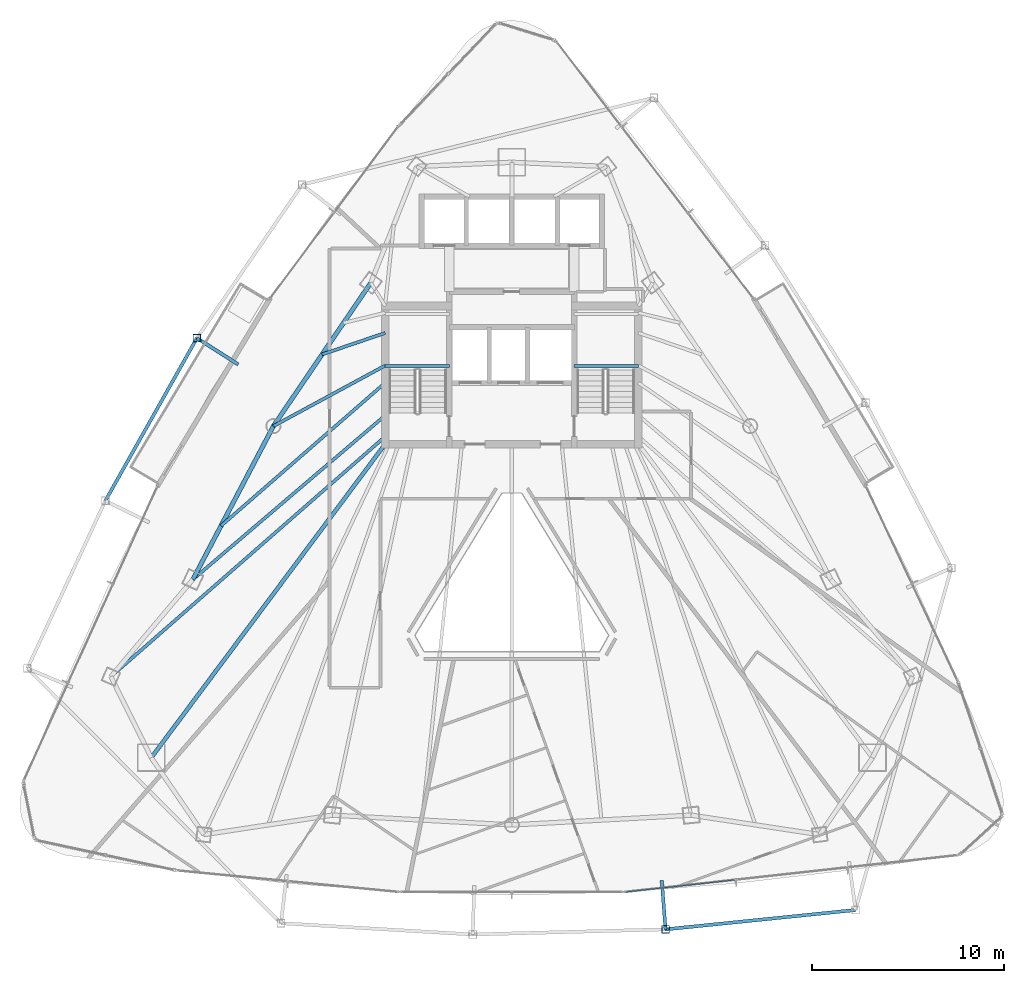
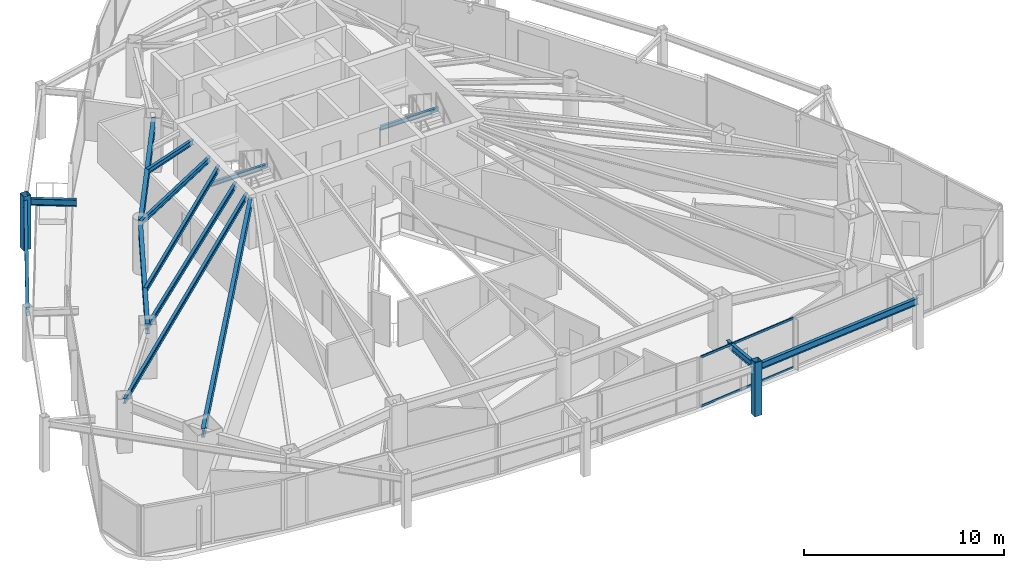
# One storey, part 11 of 30: 14 beams, 4 members, 1 element without a shape of its own.
"""IFC4 building model written with IfcOpenShell, lengths in metres."""

from ifc_helpers import new_model, si_unit, direction, frame, origin, origin_2d, place, context, subcontext, project, spatial, hollow_rectangle, i_section, extrude, material, layer, layer_set, material_profile, profile_set, type_object, element, aggregate, save


model = new_model("IFC4")

# Units and contexts
model_context = context("Model", 3, precision=1e-05, world=origin(), true_north=direction((0.0, 1.0)))
body_context = subcontext(model_context, "Body", "Model", "MODEL_VIEW")
ifc_project = project(units=[si_unit("LENGTHUNIT", "METRE"), si_unit("AREAUNIT", "SQUARE_METRE"), si_unit("VOLUMEUNIT", "CUBIC_METRE"), si_unit("PLANEANGLEUNIT", "RADIAN"), si_unit("MASSUNIT", "GRAM", prefix="KILO")], contexts=[model_context])

# Site, building, storey
site_placement = place(None, origin())
site = spatial("IfcSite", under=ifc_project, at=site_placement, CompositionType="ELEMENT")
building_placement = place(site_placement, origin())
building = spatial("IfcBuilding", under=site, at=building_placement, Name="Orvanel Arch Residences", CompositionType="ELEMENT")
storey_placement = place(building_placement, frame((0.0, 0.0, 136.39990234375)))
storey = spatial("IfcBuildingStorey", under=building, at=storey_placement, Name="L38", CompositionType="ELEMENT", Elevation=136.39990234375)

# Beams
ifc_material_1 = material(Name="Structural steel AS/NZS 3679.1 Grade 300 (300 MPa)", Category="steel")
ifc_material_profile_1 = material_profile(ifc_material_1, i_section(OverallWidth=0.208984375, OverallDepth=0.532958984375, WebThickness=0.01025390625, FlangeThickness=0.015625, at=origin_2d()), Name="530UB92.4")
ifc_profile_set_1 = profile_set([ifc_material_profile_1], Name="Structural steel AS/NZS 3679.1 Grade 300 (300 MPa)")
beam_type_1 = type_object("IfcBeamType", Name="BG-530UB", PredefinedType="BEAM", material=ifc_profile_set_1)
beam_1_placement = place(storey_placement, frame((26.375, 26.675048828125, 2.794189453125), z_axis=(-0.597893733742, -0.801575375839, 0.0), x_axis=(0.801575375839, -0.597893733742, 0.0)))
element("IfcBeam", 1, at=beam_1_placement, inside=storey, type_object=beam_type_1, Name="L38 South-West Radial Girder", PredefinedType="BEAM", context=body_context, shape_type="SweptSolid", body=[
    extrude(i_section(OverallWidth=0.208984375, OverallDepth=0.532958984375, WebThickness=0.01025390625, FlangeThickness=0.015625, at=origin_2d()), origin(), (0.0, 0.0, 1.0), 20.36474609375),
])
ifc_material_profile_2 = material_profile(ifc_material_1, i_section(OverallWidth=0.14599609375, OverallDepth=0.251953125, WebThickness=0.006103515625, FlangeThickness=0.008544921875, at=origin_2d()), Name="250UB31.4")
ifc_profile_set_2 = profile_set([ifc_material_profile_2], Name="Structural steel AS/NZS 3679.1 Grade 300 (300 MPa)")
beam_type_2 = type_object("IfcBeamType", Name="BJ-250UB", PredefinedType="JOIST", material=ifc_profile_set_2)
for number, where, z_axis, x_axis, name in (
    (2, (26.39990234375, 30.780029296875, 1.32421875), (1.0, 0.0, 0.0), (0.0, 1.0, 0.0), "L38 ST-1 Half-Landing Support Beam 1.1"),
    (3, (36.25, 30.780029296875, 1.32421875), (1.0, 0.0, 0.0), (0.0, 1.0, 0.0), "L38 ST-2 Half-Landing Support Beam 1.1"),
):
    element("IfcBeam", number, at=place(storey_placement, frame(where, z_axis=z_axis, x_axis=x_axis)), inside=storey, type_object=beam_type_2, Name=name, PredefinedType="JOIST", context=body_context, shape_type="SweptSolid", body=[
        extrude(i_section(OverallWidth=0.14599609375, OverallDepth=0.251953125, WebThickness=0.006103515625, FlangeThickness=0.008544921875, at=origin_2d()), origin(), (0.0, 0.0, 1.0), 3.35009765625),
    ])
ifc_material_profile_3 = material_profile(ifc_material_1, i_section(OverallWidth=0.1650390625, OverallDepth=0.303955078125, WebThickness=0.006103515625, FlangeThickness=0.01025390625, at=origin_2d()), Name="310UB40.4")
ifc_profile_set_3 = profile_set([ifc_material_profile_3], Name="Structural steel AS/NZS 3679.1 Grade 300 (300 MPa)")
beam_type_3 = type_object("IfcBeamType", Name="BJ-310UB", PredefinedType="JOIST", material=ifc_profile_set_3)
beam_2_placement = place(storey_placement, frame((26.39990234375, 30.800048828125, 2.908203125), z_axis=(-0.87925534649, -0.476350748576, 0.0), x_axis=(0.476350748576, -0.87925534649, 0.0)))
element("IfcBeam", 4, at=beam_2_placement, inside=storey, type_object=beam_type_3, Name="L38 NW Wing Floor Joist", PredefinedType="JOIST", context=body_context, shape_type="SweptSolid", body=[
    extrude(i_section(OverallWidth=0.1650390625, OverallDepth=0.303955078125, WebThickness=0.006103515625, FlangeThickness=0.01025390625, at=origin_2d()), origin(), (0.0, 0.0, 1.0), 6.631591796875),
])
beam_3_placement = place(storey_placement, frame((26.39990234375, 28.199951171875, 2.908203125), z_axis=(-0.760821315761, -0.648961420644, 0.0), x_axis=(0.648961420644, -0.760821315761, 0.0)))
element("IfcBeam", 5, at=beam_3_placement, inside=storey, type_object=beam_type_3, Name="L38 W Wing Floor Joist", PredefinedType="JOIST", context=body_context, shape_type="SweptSolid", body=[
    extrude(i_section(OverallWidth=0.1650390625, OverallDepth=0.303955078125, WebThickness=0.006103515625, FlangeThickness=0.01025390625, at=origin_2d()), origin(), (0.0, 0.0, 1.0), 13.18701171875),
])
beam_4_placement = place(storey_placement, frame((26.39990234375, 32.5, 2.908203125), z_axis=(-0.946441958332, -0.322873999431, 0.0), x_axis=(0.322873999431, -0.946441958332, 0.0)))
element("IfcBeam", 6, at=beam_4_placement, inside=storey, type_object=beam_type_3, Name="L38 WNW Wing Floor Joist", PredefinedType="JOIST", context=body_context, shape_type="SweptSolid", body=[
    extrude(i_section(OverallWidth=0.1650390625, OverallDepth=0.303955078125, WebThickness=0.006103515625, FlangeThickness=0.01025390625, at=origin_2d()), origin(), (0.0, 0.0, 1.0), 3.478271484375),
])
beam_5_placement = place(storey_placement, frame((26.39990234375, 27.10009765625, 2.908203125), z_axis=(-0.752493154183, -0.658600070534, 0.0), x_axis=(0.658600070534, -0.752493154183, 0.0)))
element("IfcBeam", 7, at=beam_5_placement, inside=storey, type_object=beam_type_3, Name="L38 MW Wing Floor Joist", PredefinedType="JOIST", context=body_context, shape_type="SweptSolid", body=[
    extrude(i_section(OverallWidth=0.1650390625, OverallDepth=0.303955078125, WebThickness=0.006103515625, FlangeThickness=0.01025390625, at=origin_2d()), origin(), (0.0, 0.0, 1.0), 19.010009765625),
])
beam_6_placement = place(storey_placement, frame((26.39990234375, 29.89990234375, 2.908203125), z_axis=(-0.754047930849, -0.656819395254, 0.0), x_axis=(0.656819395254, -0.754047930849, 0.0)))
element("IfcBeam", 8, at=beam_6_placement, inside=storey, type_object=beam_type_3, Name="L38 CTW Wing Floor Joist", PredefinedType="JOIST", context=body_context, shape_type="SweptSolid", body=[
    extrude(i_section(OverallWidth=0.1650390625, OverallDepth=0.303955078125, WebThickness=0.006103515625, FlangeThickness=0.01025390625, at=origin_2d()), origin(), (0.0, 0.0, 1.0), 11.354736328125),
])
ifc_material_profile_4 = material_profile(ifc_material_1, i_section(OverallWidth=0.177978515625, OverallDepth=0.406005859375, WebThickness=0.0078125, FlangeThickness=0.0126953125, at=origin_2d()), Name="410UB59.7")
ifc_profile_set_4 = profile_set([ifc_material_profile_4], Name="Structural steel AS/NZS 3679.1 Grade 300 (300 MPa)")
beam_type_4 = type_object("IfcBeamType", Name="OB-410UB-EXT", PredefinedType="SPANDREL", material=ifc_profile_set_4)
beam_7_placement = place(storey_placement, frame((18.72998046875, 30.85791015625, 2.857177734375), z_axis=(-0.842674541319, 0.538423269754, 0.0), x_axis=(-0.538423269754, -0.842674541319, 0.0)))
element("IfcBeam", 9, at=beam_7_placement, inside=storey, type_object=beam_type_4, Name="L38 Outer Frame Radial Tie Beam 02", PredefinedType="SPANDREL", context=body_context, shape_type="SweptSolid", body=[
    extrude(i_section(OverallWidth=0.177978515625, OverallDepth=0.406005859375, WebThickness=0.0078125, FlangeThickness=0.0126953125, at=origin_2d()), origin(), (0.0, 0.0, 1.0), 2.550048828125),
])
beam_8_placement = place(storey_placement, frame((16.5810546875, 32.23095703125, 2.857177734375), z_axis=(-0.490535083464, -0.871421443327, 0.0), x_axis=(0.871421443327, -0.490535083464, 0.0)))
element("IfcBeam", 10, at=beam_8_placement, inside=storey, type_object=beam_type_4, Name="L38 Outer Perimeter Floor Ring Beam 02", PredefinedType="SPANDREL", context=body_context, shape_type="SweptSolid", body=[
    extrude(i_section(OverallWidth=0.177978515625, OverallDepth=0.406005859375, WebThickness=0.0078125, FlangeThickness=0.0126953125, at=origin_2d()), origin(), (0.0, 0.0, 1.0), 9.734619140625),
])
beam_9_placement = place(storey_placement, frame((40.819091796875, 3.943115234375, 2.857177734375), z_axis=(0.077238094442, -0.997012676332, 0.0), x_axis=(0.997012676332, 0.077238094442, 0.0)))
element("IfcBeam", 11, at=beam_9_placement, inside=storey, type_object=beam_type_4, Name="L38 Outer Frame Radial Tie Beam 07", PredefinedType="SPANDREL", context=body_context, shape_type="SweptSolid", body=[
    extrude(i_section(OverallWidth=0.177978515625, OverallDepth=0.406005859375, WebThickness=0.0078125, FlangeThickness=0.0126953125, at=origin_2d()), origin(), (0.0, 0.0, 1.0), 2.55078125),
])
beam_10_placement = place(storey_placement, frame((41.01611328125, 1.39990234375, 2.857177734375), z_axis=(0.994855237823, 0.101306741024, 0.0), x_axis=(-0.101306741024, 0.994855237823, 0.0)))
element("IfcBeam", 12, at=beam_10_placement, inside=storey, type_object=beam_type_4, Name="L38 Outer Perimeter Floor Ring Beam 07", PredefinedType="SPANDREL", context=body_context, shape_type="SweptSolid", body=[
    extrude(i_section(OverallWidth=0.177978515625, OverallDepth=0.406005859375, WebThickness=0.0078125, FlangeThickness=0.0126953125, at=origin_2d()), origin(), (0.0, 0.0, 1.0), 9.960205078125),
])
ifc_material_profile_5 = material_profile(ifc_material_1, i_section(OverallWidth=0.22900390625, OverallDepth=0.612060546875, WebThickness=0.011962890625, FlangeThickness=0.01953125, at=origin_2d()), Name="610UB125")
ifc_profile_set_5 = profile_set([ifc_material_profile_5], Name="Structural steel AS/NZS 3679.1 Grade 300 (300 MPa)")
beam_type_5 = type_object("IfcBeamType", Name="SP-610UB", PredefinedType="SPANDREL", material=ifc_profile_set_5)
beam_11_placement = place(storey_placement, frame((25.64794921875, 35.113037109375, 2.754150390625), z_axis=(-0.562154793153, -0.827032035978, 0.0), x_axis=(0.827032035978, -0.562154793153, 0.0)))
element("IfcBeam", 13, at=beam_11_placement, inside=storey, type_object=beam_type_5, Name="L38 Perimeter Spandrel Beam 17", PredefinedType="SPANDREL", context=body_context, shape_type="SweptSolid", body=[
    extrude(i_section(OverallWidth=0.22900390625, OverallDepth=0.612060546875, WebThickness=0.011962890625, FlangeThickness=0.01953125, at=origin_2d()), origin(), (0.0, 0.0, 1.0), 9.03466796875),
])
beam_12_placement = place(storey_placement, frame((20.569091796875, 27.64111328125, 2.754150390625), z_axis=(-0.465064762793, -0.885276660942, 0.0), x_axis=(0.885276660942, -0.465064762793, 0.0)))
element("IfcBeam", 14, at=beam_12_placement, inside=storey, type_object=beam_type_5, Name="L38 Perimeter Spandrel Beam 18", PredefinedType="SPANDREL", context=body_context, shape_type="SweptSolid", body=[
    extrude(i_section(OverallWidth=0.22900390625, OverallDepth=0.612060546875, WebThickness=0.011962890625, FlangeThickness=0.01953125, at=origin_2d()), origin(), (0.0, 0.0, 1.0), 9.03564453125),
])

# Members
ifc_material_2 = material(Name="Structural steel AS/NZS 1163 C450L0 (Grade 450)", Category="steel")
ifc_material_profile_6 = material_profile(ifc_material_2, hollow_rectangle(XDim=0.39990234375, YDim=0.39990234375, WallThickness=0.01611328125, at=origin_2d()), Name="SHS400x400x16")
ifc_profile_set_6 = profile_set([ifc_material_profile_6], Name="Structural steel AS/NZS 1163 C450L0 (Grade 450)")
member_type_1 = type_object("IfcMemberType", Name="ST-400SHS-EXT", PredefinedType="STRUT", material=ifc_profile_set_6)
for number, where, z_axis, x_axis, name in (
    (15, (16.5810546875, 32.23095703125, 0.0), (0.0, 0.0, 1.0), (1.0, 0.0, 0.0), "L38 Outer Perimeter Frame Post 02"),
    (16, (41.01611328125, 1.39990234375, 0.0), (0.0, 0.0, 1.0), (1.0, 0.0, 0.0), "L38 Outer Perimeter Frame Post 07"),
):
    element("IfcMember", number, at=place(storey_placement, frame(where, z_axis=z_axis, x_axis=x_axis)), inside=storey, type_object=member_type_1, Name=name, PredefinedType="STRUT", context=body_context, shape_type="SweptSolid", body=[
        extrude(hollow_rectangle(XDim=0.39990234375, YDim=0.39990234375, WallThickness=0.01611328125, at=origin_2d()), origin(), (0.0, 0.0, 1.0), 3.300048828125),
    ])

# Curtain wall, members
ifc_material_3 = material(Name="Bronze-anodised aluminium AA6063-T6", Category="aluminium")
ifc_layer = layer(ifc_material_3, 0.179931640625)
ifc_layer_set = layer_set([ifc_layer], Name="Bronze-anodised aluminium AA6063-T6")
curtain_wall_type = type_object("IfcCurtainWallType", Name="CW3-MID-SYS", PredefinedType="NOTDEFINED", material=ifc_layer_set)
curtain_wall_placement = place(storey_placement, origin())
curtain_wall = element("IfcCurtainWall", 17, at=curtain_wall_placement, inside=storey, type_object=curtain_wall_type, Name="L38 CW3-MID-SYS Unitised Curtain Wall", PredefinedType="NOTDEFINED")
ifc_material_profile_7 = material_profile(ifc_material_3, hollow_rectangle(XDim=0.06005859375, YDim=0.135009765625, WallThickness=0.00390625, at=origin_2d()), Name="ALU135x60x4")
ifc_profile_set_7 = profile_set([ifc_material_profile_7], Name="Bronze-anodised aluminium AA6063-T6")
member_type_2 = type_object("IfcMemberType", Name="TRN-135x60", PredefinedType="USERDEFINED", material=ifc_profile_set_7)
member_1_placement = place(storey_placement, frame((38.920654296875, 3.3466796875, 0.030029296875), z_axis=(0.993944704215, 0.109881413179, 0.0), x_axis=(-0.109881413179, 0.993944704215, 0.0)))
member_1 = element("IfcMember", 18, at=member_1_placement, type_object=member_type_2, Name="CW-S3 transom 1.1", ObjectType="TRANSOM", PredefinedType="USERDEFINED", context=body_context, shape_type="SweptSolid", body=[
    extrude(hollow_rectangle(XDim=0.06005859375, YDim=0.135009765625, WallThickness=0.00390625, at=origin_2d()), origin(), (0.0, 0.0, 1.0), 5.748046875),
])
member_2_placement = place(storey_placement, frame((38.920654296875, 3.3466796875, 3.030029296875), z_axis=(0.993944704215, 0.109881413179, 0.0), x_axis=(-0.109881413179, 0.993944704215, 0.0)))
member_2 = element("IfcMember", 19, at=member_2_placement, type_object=member_type_2, Name="CW-S3 transom 1.2", ObjectType="TRANSOM", PredefinedType="USERDEFINED", context=body_context, shape_type="SweptSolid", body=[
    extrude(hollow_rectangle(XDim=0.06005859375, YDim=0.135009765625, WallThickness=0.00390625, at=origin_2d()), origin(), (0.0, 0.0, 1.0), 5.748046875),
])
aggregate(curtain_wall, [member_1, member_2])

save(model, "model.ifc")
